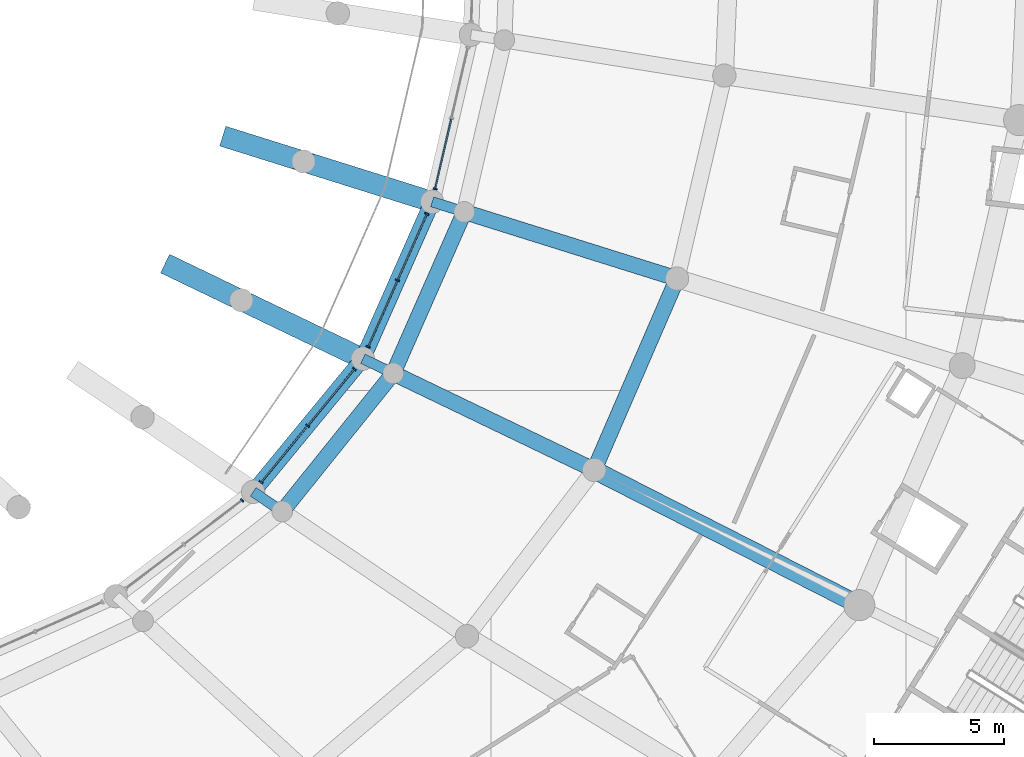
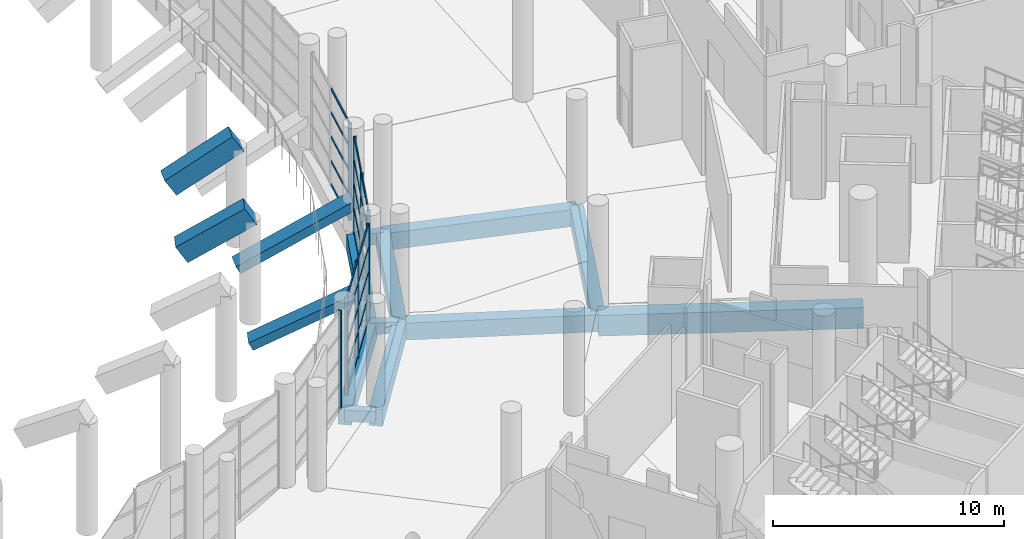
# One storey, part 48 of 271: 33 members, 15 beams, 4 elements without a shape of their own.
"""IFC4 building model written with IfcOpenShell, lengths in metres."""

from ifc_helpers import new_model, si_unit, direction, frame, origin, origin_2d, place, context, subcontext, project, spatial, rectangle, extrude, material, layer, layer_set, material_profile, profile_set, type_object, element, aggregate, save


model = new_model("IFC4")

# Units and contexts
model_context = context("Model", 3, precision=1e-05, world=origin(), true_north=direction((0.0, 1.0)))
body_context = subcontext(model_context, "Body", "Model", "MODEL_VIEW")
ifc_project = project(units=[si_unit("LENGTHUNIT", "METRE"), si_unit("AREAUNIT", "SQUARE_METRE"), si_unit("VOLUMEUNIT", "CUBIC_METRE"), si_unit("PLANEANGLEUNIT", "RADIAN"), si_unit("MASSUNIT", "GRAM", prefix="KILO")], contexts=[model_context])

# Site, building, storey
site_placement = place(None, origin())
site = spatial("IfcSite", under=ifc_project, at=site_placement, CompositionType="ELEMENT")
building_placement = place(site_placement, origin())
building = spatial("IfcBuilding", under=site, at=building_placement, Name="Meseta Stadium", CompositionType="ELEMENT")
storey_placement = place(building_placement, frame((0.0, 0.0, 6.5)))
storey = spatial("IfcBuildingStorey", under=building, at=storey_placement, Name="L01", CompositionType="ELEMENT", Elevation=6.5)

# Curtain wall, member
ifc_material_1 = material(Name="Aluminium", Category="aluminium")
ifc_layer = layer(ifc_material_1, 0.199951171875)
ifc_layer_set = layer_set([ifc_layer], Name="Club glazing curtain wall")
curtain_wall_type = type_object("IfcCurtainWallType", Name="Club glazing curtain wall", PredefinedType="NOTDEFINED", material=ifc_layer_set)
curtain_wall_1_placement = place(storey_placement, origin())
curtain_wall_1 = element("IfcCurtainWall", 1, at=curtain_wall_1_placement, inside=storey, type_object=curtain_wall_type, Name="Club glazing bay 52", PredefinedType="NOTDEFINED")
ifc_material_2 = material(Name="Aluminium", Category="aluminium")
ifc_material_profile_1 = material_profile(ifc_material_2, rectangle(XDim=0.159912109375, YDim=0.06005859375, at=origin_2d()), Name="CW 160x60")
ifc_profile_set_1 = profile_set([ifc_material_profile_1], Name="Aluminium")
member_type_1 = type_object("IfcMemberType", Name="CW mullion 60x160", PredefinedType="MULLION", material=ifc_profile_set_1)
member_1_placement = place(storey_placement, frame((54.392578125, -68.2255859375, 0.0), z_axis=(0.0, 0.0, 1.0), x_axis=(-0.604519923448, 0.796590021375, 0.0)))
member_1 = element("IfcMember", 2, at=member_1_placement, type_object=member_type_1, Name="CWC mullion 3", PredefinedType="MULLION", context=body_context, shape_type="SweptSolid", body=[
    extrude(rectangle(XDim=0.159912109375, YDim=0.06005859375, at=origin_2d()), origin(), (0.0, 0.0, 1.0), 5.14990234375),
])
aggregate(curtain_wall_1, [member_1])

# Curtain wall, members
curtain_wall_2_placement = place(storey_placement, origin())
curtain_wall_2 = element("IfcCurtainWall", 3, at=curtain_wall_2_placement, inside=storey, type_object=curtain_wall_type, Name="Club glazing bay 53", PredefinedType="NOTDEFINED")
member_2_placement = place(storey_placement, frame((55.124755859375, -67.531005859375, 0.0), z_axis=(0.0, 0.0, 1.0), x_axis=(-0.771902420685, 0.63574102663, 0.0)))
member_2 = element("IfcMember", 4, at=member_2_placement, type_object=member_type_1, Name="CWC mullion 1", PredefinedType="MULLION", context=body_context, shape_type="SweptSolid", body=[
    extrude(rectangle(XDim=0.159912109375, YDim=0.06005859375, at=origin_2d()), origin(), (0.0, 0.0, 1.0), 5.14990234375),
])
member_3_placement = place(storey_placement, frame((56.920654296875, -65.3505859375, 0.0), z_axis=(0.0, 0.0, 1.0), x_axis=(-0.771902420685, 0.63574102663, 0.0)))
member_3 = element("IfcMember", 5, at=member_3_placement, type_object=member_type_1, Name="CWC mullion 2", PredefinedType="MULLION", context=body_context, shape_type="SweptSolid", body=[
    extrude(rectangle(XDim=0.159912109375, YDim=0.06005859375, at=origin_2d()), origin(), (0.0, 0.0, 1.0), 5.14990234375),
])
member_4_placement = place(storey_placement, frame((58.71630859375, -63.170166015625, 0.0), z_axis=(0.0, 0.0, 1.0), x_axis=(-0.771902420685, 0.63574102663, 0.0)))
member_4 = element("IfcMember", 6, at=member_4_placement, type_object=member_type_1, Name="CWC mullion 3", PredefinedType="MULLION", context=body_context, shape_type="SweptSolid", body=[
    extrude(rectangle(XDim=0.159912109375, YDim=0.06005859375, at=origin_2d()), origin(), (0.0, 0.0, 1.0), 5.14990234375),
])

curtain_wall_3_placement = place(storey_placement, origin())
curtain_wall_3 = element("IfcCurtainWall", 7, at=curtain_wall_3_placement, inside=storey, type_object=curtain_wall_type, Name="Club glazing bay 54", PredefinedType="NOTDEFINED")
member_5_placement = place(storey_placement, frame((59.2548828125, -62.300537109375, 0.0), z_axis=(0.0, 0.0, 1.0), x_axis=(-0.914657215102, 0.404230353712, 0.0)))
member_5 = element("IfcMember", 8, at=member_5_placement, type_object=member_type_1, Name="CWC mullion 1", PredefinedType="MULLION", context=body_context, shape_type="SweptSolid", body=[
    extrude(rectangle(XDim=0.159912109375, YDim=0.06005859375, at=origin_2d()), origin(), (0.0, 0.0, 1.0), 5.14990234375),
])
member_6_placement = place(storey_placement, frame((60.385498046875, -59.7421875, 0.0), z_axis=(0.0, 0.0, 1.0), x_axis=(-0.914657215102, 0.404230353712, 0.0)))
member_6 = element("IfcMember", 9, at=member_6_placement, type_object=member_type_1, Name="CWC mullion 2", PredefinedType="MULLION", context=body_context, shape_type="SweptSolid", body=[
    extrude(rectangle(XDim=0.159912109375, YDim=0.06005859375, at=origin_2d()), origin(), (0.0, 0.0, 1.0), 5.14990234375),
])
member_7_placement = place(storey_placement, frame((61.51611328125, -57.183837890625, 0.0), z_axis=(0.0, 0.0, 1.0), x_axis=(-0.914657215102, 0.404230353712, 0.0)))
member_7 = element("IfcMember", 10, at=member_7_placement, type_object=member_type_1, Name="CWC mullion 3", PredefinedType="MULLION", context=body_context, shape_type="SweptSolid", body=[
    extrude(rectangle(XDim=0.159912109375, YDim=0.06005859375, at=origin_2d()), origin(), (0.0, 0.0, 1.0), 5.14990234375),
])

# Curtain wall, member
curtain_wall_4_placement = place(storey_placement, origin())
curtain_wall_4 = element("IfcCurtainWall", 11, at=curtain_wall_4_placement, inside=storey, type_object=curtain_wall_type, Name="Club glazing bay 55", PredefinedType="NOTDEFINED")
member_8_placement = place(storey_placement, frame((61.838623046875, -56.21826171875, 0.0), z_axis=(0.0, 0.0, 1.0), x_axis=(-0.974116107399, 0.226048245529, 0.0)))
member_8 = element("IfcMember", 12, at=member_8_placement, type_object=member_type_1, Name="CWC mullion 1", PredefinedType="MULLION", context=body_context, shape_type="SweptSolid", body=[
    extrude(rectangle(XDim=0.159912109375, YDim=0.06005859375, at=origin_2d()), origin(), (0.0, 0.0, 1.0), 5.14990234375),
])

# Member
ifc_material_3 = material(Name="Aluminium", Category="aluminium")
ifc_material_profile_2 = material_profile(ifc_material_3, rectangle(XDim=0.06005859375, YDim=0.1201171875, at=origin_2d()), Name="CW 60x120")
ifc_profile_set_2 = profile_set([ifc_material_profile_2], Name="Aluminium")
member_type_2 = type_object("IfcMemberType", Name="CW transom 60x120", PredefinedType="USERDEFINED", material=ifc_profile_set_2)
member_9_placement = place(storey_placement, frame((55.143798828125, -67.5078125, 0.06005859375), z_axis=(0.63573511069, 0.771907293032, 0.0), x_axis=(-0.771907293032, 0.63573511069, 0.0)))
member_9 = element("IfcMember", 13, at=member_9_placement, type_object=member_type_2, Name="CWC transom 1.1", ObjectType="TRANSOM", PredefinedType="USERDEFINED", context=body_context, shape_type="SweptSolid", body=[
    extrude(rectangle(XDim=0.06005859375, YDim=0.1201171875, at=origin_2d()), origin(), (0.0, 0.0, 1.0), 2.7646484375),
])

member_10_placement = place(storey_placement, frame((55.143798828125, -67.5078125, 1.28759765625), z_axis=(0.63573511069, 0.771907293032, 0.0), x_axis=(-0.771907293032, 0.63573511069, 0.0)))
member_10 = element("IfcMember", 14, at=member_10_placement, type_object=member_type_2, Name="CWC transom 1.2", ObjectType="TRANSOM", PredefinedType="USERDEFINED", context=body_context, shape_type="SweptSolid", body=[
    extrude(rectangle(XDim=0.06005859375, YDim=0.1201171875, at=origin_2d()), origin(), (0.0, 0.0, 1.0), 2.7646484375),
])

member_11_placement = place(storey_placement, frame((55.143798828125, -67.5078125, 2.574951171875), z_axis=(0.63573511069, 0.771907293032, 0.0), x_axis=(-0.771907293032, 0.63573511069, 0.0)))
member_11 = element("IfcMember", 15, at=member_11_placement, type_object=member_type_2, Name="CWC transom 1.3", ObjectType="TRANSOM", PredefinedType="USERDEFINED", context=body_context, shape_type="SweptSolid", body=[
    extrude(rectangle(XDim=0.06005859375, YDim=0.1201171875, at=origin_2d()), origin(), (0.0, 0.0, 1.0), 2.7646484375),
])

member_12_placement = place(storey_placement, frame((55.143798828125, -67.5078125, 3.862548828125), z_axis=(0.63573511069, 0.771907293032, 0.0), x_axis=(-0.771907293032, 0.63573511069, 0.0)))
member_12 = element("IfcMember", 16, at=member_12_placement, type_object=member_type_2, Name="CWC transom 1.4", ObjectType="TRANSOM", PredefinedType="USERDEFINED", context=body_context, shape_type="SweptSolid", body=[
    extrude(rectangle(XDim=0.06005859375, YDim=0.1201171875, at=origin_2d()), origin(), (0.0, 0.0, 1.0), 2.7646484375),
])

member_13_placement = place(storey_placement, frame((55.143798828125, -67.5078125, 5.090087890625), z_axis=(0.63573511069, 0.771907293032, 0.0), x_axis=(-0.771907293032, 0.63573511069, 0.0)))
member_13 = element("IfcMember", 17, at=member_13_placement, type_object=member_type_2, Name="CWC transom 1.5", ObjectType="TRANSOM", PredefinedType="USERDEFINED", context=body_context, shape_type="SweptSolid", body=[
    extrude(rectangle(XDim=0.06005859375, YDim=0.1201171875, at=origin_2d()), origin(), (0.0, 0.0, 1.0), 2.7646484375),
])

member_14_placement = place(storey_placement, frame((56.939697265625, -65.327392578125, 0.06005859375), z_axis=(0.63573511069, 0.771907293032, 0.0), x_axis=(-0.771907293032, 0.63573511069, 0.0)))
member_14 = element("IfcMember", 18, at=member_14_placement, type_object=member_type_2, Name="CWC transom 2.1", ObjectType="TRANSOM", PredefinedType="USERDEFINED", context=body_context, shape_type="SweptSolid", body=[
    extrude(rectangle(XDim=0.06005859375, YDim=0.1201171875, at=origin_2d()), origin(), (0.0, 0.0, 1.0), 2.7646484375),
])

member_15_placement = place(storey_placement, frame((56.939697265625, -65.327392578125, 1.28759765625), z_axis=(0.63573511069, 0.771907293032, 0.0), x_axis=(-0.771907293032, 0.63573511069, 0.0)))
member_15 = element("IfcMember", 19, at=member_15_placement, type_object=member_type_2, Name="CWC transom 2.2", ObjectType="TRANSOM", PredefinedType="USERDEFINED", context=body_context, shape_type="SweptSolid", body=[
    extrude(rectangle(XDim=0.06005859375, YDim=0.1201171875, at=origin_2d()), origin(), (0.0, 0.0, 1.0), 2.7646484375),
])

member_16_placement = place(storey_placement, frame((56.939697265625, -65.327392578125, 2.574951171875), z_axis=(0.63573511069, 0.771907293032, 0.0), x_axis=(-0.771907293032, 0.63573511069, 0.0)))
member_16 = element("IfcMember", 20, at=member_16_placement, type_object=member_type_2, Name="CWC transom 2.3", ObjectType="TRANSOM", PredefinedType="USERDEFINED", context=body_context, shape_type="SweptSolid", body=[
    extrude(rectangle(XDim=0.06005859375, YDim=0.1201171875, at=origin_2d()), origin(), (0.0, 0.0, 1.0), 2.7646484375),
])

member_17_placement = place(storey_placement, frame((56.939697265625, -65.327392578125, 3.862548828125), z_axis=(0.63573511069, 0.771907293032, 0.0), x_axis=(-0.771907293032, 0.63573511069, 0.0)))
member_17 = element("IfcMember", 21, at=member_17_placement, type_object=member_type_2, Name="CWC transom 2.4", ObjectType="TRANSOM", PredefinedType="USERDEFINED", context=body_context, shape_type="SweptSolid", body=[
    extrude(rectangle(XDim=0.06005859375, YDim=0.1201171875, at=origin_2d()), origin(), (0.0, 0.0, 1.0), 2.7646484375),
])

member_18_placement = place(storey_placement, frame((56.939697265625, -65.327392578125, 5.090087890625), z_axis=(0.63573511069, 0.771907293032, 0.0), x_axis=(-0.771907293032, 0.63573511069, 0.0)))
member_18 = element("IfcMember", 22, at=member_18_placement, type_object=member_type_2, Name="CWC transom 2.5", ObjectType="TRANSOM", PredefinedType="USERDEFINED", context=body_context, shape_type="SweptSolid", body=[
    extrude(rectangle(XDim=0.06005859375, YDim=0.1201171875, at=origin_2d()), origin(), (0.0, 0.0, 1.0), 2.7646484375),
])

aggregate(curtain_wall_2, [member_2, member_3, member_4, member_9, member_10, member_11, member_12, member_13, member_14, member_15, member_16, member_17, member_18])

member_19_placement = place(storey_placement, frame((59.266845703125, -62.273193359375, 0.06005859375), z_axis=(0.404217645264, 0.914662831461, 0.0), x_axis=(-0.914662831461, 0.404217645264, 0.0)))
member_19 = element("IfcMember", 23, at=member_19_placement, type_object=member_type_2, Name="CWC transom 1.1", ObjectType="TRANSOM", PredefinedType="USERDEFINED", context=body_context, shape_type="SweptSolid", body=[
    extrude(rectangle(XDim=0.06005859375, YDim=0.1201171875, at=origin_2d()), origin(), (0.0, 0.0, 1.0), 2.7373046875),
])

member_20_placement = place(storey_placement, frame((59.266845703125, -62.273193359375, 1.28759765625), z_axis=(0.404217645264, 0.914662831461, 0.0), x_axis=(-0.914662831461, 0.404217645264, 0.0)))
member_20 = element("IfcMember", 24, at=member_20_placement, type_object=member_type_2, Name="CWC transom 1.2", ObjectType="TRANSOM", PredefinedType="USERDEFINED", context=body_context, shape_type="SweptSolid", body=[
    extrude(rectangle(XDim=0.06005859375, YDim=0.1201171875, at=origin_2d()), origin(), (0.0, 0.0, 1.0), 2.7373046875),
])

member_21_placement = place(storey_placement, frame((59.266845703125, -62.273193359375, 2.574951171875), z_axis=(0.404217645264, 0.914662831461, 0.0), x_axis=(-0.914662831461, 0.404217645264, 0.0)))
member_21 = element("IfcMember", 25, at=member_21_placement, type_object=member_type_2, Name="CWC transom 1.3", ObjectType="TRANSOM", PredefinedType="USERDEFINED", context=body_context, shape_type="SweptSolid", body=[
    extrude(rectangle(XDim=0.06005859375, YDim=0.1201171875, at=origin_2d()), origin(), (0.0, 0.0, 1.0), 2.7373046875),
])

member_22_placement = place(storey_placement, frame((59.266845703125, -62.273193359375, 3.862548828125), z_axis=(0.404217645264, 0.914662831461, 0.0), x_axis=(-0.914662831461, 0.404217645264, 0.0)))
member_22 = element("IfcMember", 26, at=member_22_placement, type_object=member_type_2, Name="CWC transom 1.4", ObjectType="TRANSOM", PredefinedType="USERDEFINED", context=body_context, shape_type="SweptSolid", body=[
    extrude(rectangle(XDim=0.06005859375, YDim=0.1201171875, at=origin_2d()), origin(), (0.0, 0.0, 1.0), 2.7373046875),
])

member_23_placement = place(storey_placement, frame((59.266845703125, -62.273193359375, 5.090087890625), z_axis=(0.404217645264, 0.914662831461, 0.0), x_axis=(-0.914662831461, 0.404217645264, 0.0)))
member_23 = element("IfcMember", 27, at=member_23_placement, type_object=member_type_2, Name="CWC transom 1.5", ObjectType="TRANSOM", PredefinedType="USERDEFINED", context=body_context, shape_type="SweptSolid", body=[
    extrude(rectangle(XDim=0.06005859375, YDim=0.1201171875, at=origin_2d()), origin(), (0.0, 0.0, 1.0), 2.7373046875),
])

member_24_placement = place(storey_placement, frame((60.397705078125, -59.71484375, 0.06005859375), z_axis=(0.404217645264, 0.914662831461, 0.0), x_axis=(-0.914662831461, 0.404217645264, 0.0)))
member_24 = element("IfcMember", 28, at=member_24_placement, type_object=member_type_2, Name="CWC transom 2.1", ObjectType="TRANSOM", PredefinedType="USERDEFINED", context=body_context, shape_type="SweptSolid", body=[
    extrude(rectangle(XDim=0.06005859375, YDim=0.1201171875, at=origin_2d()), origin(), (0.0, 0.0, 1.0), 2.7373046875),
])

member_25_placement = place(storey_placement, frame((60.397705078125, -59.71484375, 1.28759765625), z_axis=(0.404217645264, 0.914662831461, 0.0), x_axis=(-0.914662831461, 0.404217645264, 0.0)))
member_25 = element("IfcMember", 29, at=member_25_placement, type_object=member_type_2, Name="CWC transom 2.2", ObjectType="TRANSOM", PredefinedType="USERDEFINED", context=body_context, shape_type="SweptSolid", body=[
    extrude(rectangle(XDim=0.06005859375, YDim=0.1201171875, at=origin_2d()), origin(), (0.0, 0.0, 1.0), 2.7373046875),
])

member_26_placement = place(storey_placement, frame((60.397705078125, -59.71484375, 2.574951171875), z_axis=(0.404217645264, 0.914662831461, 0.0), x_axis=(-0.914662831461, 0.404217645264, 0.0)))
member_26 = element("IfcMember", 30, at=member_26_placement, type_object=member_type_2, Name="CWC transom 2.3", ObjectType="TRANSOM", PredefinedType="USERDEFINED", context=body_context, shape_type="SweptSolid", body=[
    extrude(rectangle(XDim=0.06005859375, YDim=0.1201171875, at=origin_2d()), origin(), (0.0, 0.0, 1.0), 2.7373046875),
])

member_27_placement = place(storey_placement, frame((60.397705078125, -59.71484375, 3.862548828125), z_axis=(0.404217645264, 0.914662831461, 0.0), x_axis=(-0.914662831461, 0.404217645264, 0.0)))
member_27 = element("IfcMember", 31, at=member_27_placement, type_object=member_type_2, Name="CWC transom 2.4", ObjectType="TRANSOM", PredefinedType="USERDEFINED", context=body_context, shape_type="SweptSolid", body=[
    extrude(rectangle(XDim=0.06005859375, YDim=0.1201171875, at=origin_2d()), origin(), (0.0, 0.0, 1.0), 2.7373046875),
])

member_28_placement = place(storey_placement, frame((60.397705078125, -59.71484375, 5.090087890625), z_axis=(0.404217645264, 0.914662831461, 0.0), x_axis=(-0.914662831461, 0.404217645264, 0.0)))
member_28 = element("IfcMember", 32, at=member_28_placement, type_object=member_type_2, Name="CWC transom 2.5", ObjectType="TRANSOM", PredefinedType="USERDEFINED", context=body_context, shape_type="SweptSolid", body=[
    extrude(rectangle(XDim=0.06005859375, YDim=0.1201171875, at=origin_2d()), origin(), (0.0, 0.0, 1.0), 2.7373046875),
])

aggregate(curtain_wall_3, [member_5, member_6, member_7, member_19, member_20, member_21, member_22, member_23, member_24, member_25, member_26, member_27, member_28])

member_29_placement = place(storey_placement, frame((61.84521484375, -56.189208984375, 0.06005859375), z_axis=(0.226064707023, 0.974112287285, 0.0), x_axis=(-0.974112287285, 0.226064707023, 0.0)))
member_29 = element("IfcMember", 33, at=member_29_placement, type_object=member_type_2, Name="CWC transom 1.1", ObjectType="TRANSOM", PredefinedType="USERDEFINED", context=body_context, shape_type="SweptSolid", body=[
    extrude(rectangle(XDim=0.06005859375, YDim=0.1201171875, at=origin_2d()), origin(), (0.0, 0.0, 1.0), 2.736572265625),
])

member_30_placement = place(storey_placement, frame((61.84521484375, -56.189208984375, 1.28759765625), z_axis=(0.226064707023, 0.974112287285, 0.0), x_axis=(-0.974112287285, 0.226064707023, 0.0)))
member_30 = element("IfcMember", 34, at=member_30_placement, type_object=member_type_2, Name="CWC transom 1.2", ObjectType="TRANSOM", PredefinedType="USERDEFINED", context=body_context, shape_type="SweptSolid", body=[
    extrude(rectangle(XDim=0.06005859375, YDim=0.1201171875, at=origin_2d()), origin(), (0.0, 0.0, 1.0), 2.736572265625),
])

member_31_placement = place(storey_placement, frame((61.84521484375, -56.189208984375, 2.574951171875), z_axis=(0.226064707023, 0.974112287285, 0.0), x_axis=(-0.974112287285, 0.226064707023, 0.0)))
member_31 = element("IfcMember", 35, at=member_31_placement, type_object=member_type_2, Name="CWC transom 1.3", ObjectType="TRANSOM", PredefinedType="USERDEFINED", context=body_context, shape_type="SweptSolid", body=[
    extrude(rectangle(XDim=0.06005859375, YDim=0.1201171875, at=origin_2d()), origin(), (0.0, 0.0, 1.0), 2.736572265625),
])

member_32_placement = place(storey_placement, frame((61.84521484375, -56.189208984375, 3.862548828125), z_axis=(0.226064707023, 0.974112287285, 0.0), x_axis=(-0.974112287285, 0.226064707023, 0.0)))
member_32 = element("IfcMember", 36, at=member_32_placement, type_object=member_type_2, Name="CWC transom 1.4", ObjectType="TRANSOM", PredefinedType="USERDEFINED", context=body_context, shape_type="SweptSolid", body=[
    extrude(rectangle(XDim=0.06005859375, YDim=0.1201171875, at=origin_2d()), origin(), (0.0, 0.0, 1.0), 2.736572265625),
])

member_33_placement = place(storey_placement, frame((61.84521484375, -56.189208984375, 5.090087890625), z_axis=(0.226064707023, 0.974112287285, 0.0), x_axis=(-0.974112287285, 0.226064707023, 0.0)))
member_33 = element("IfcMember", 37, at=member_33_placement, type_object=member_type_2, Name="CWC transom 1.5", ObjectType="TRANSOM", PredefinedType="USERDEFINED", context=body_context, shape_type="SweptSolid", body=[
    extrude(rectangle(XDim=0.06005859375, YDim=0.1201171875, at=origin_2d()), origin(), (0.0, 0.0, 1.0), 2.736572265625),
])

aggregate(curtain_wall_4, [member_8, member_29, member_30, member_31, member_32, member_33])

# Beams
ifc_material_4 = material(Name="Concrete C40/50", Category="concrete")
ifc_material_profile_3 = material_profile(ifc_material_4, rectangle(XDim=0.39990234375, YDim=0.60009765625, at=origin_2d()), Name="RC 400x600")
ifc_profile_set_3 = profile_set([ifc_material_profile_3], Name="Concrete C40/50")
beam_type_1 = type_object("IfcBeamType", Name="RC beam 400x600", PredefinedType="BEAM", material=ifc_profile_set_3)
beam_1_placement = place(storey_placement, frame((54.819580078125, -67.901611328125, -0.64990234375), z_axis=(0.828785870945, -0.559565885416, 0.0), x_axis=(0.559565885416, 0.828785870945, 0.0)))
element("IfcBeam", 38, at=beam_1_placement, inside=storey, type_object=beam_type_1, Name="L01 radial beam frame 53 line C to D", PredefinedType="BEAM", context=body_context, shape_type="SweptSolid", body=[
    extrude(rectangle(XDim=0.39990234375, YDim=0.60009765625, at=origin_2d()), origin(), (0.0, 0.0, 1.0), 1.35205078125),
])
beam_2_placement = place(storey_placement, frame((59.049072265625, -62.766357421875, -0.64990234375), z_axis=(0.901186215953, -0.433432121762, 0.0), x_axis=(0.433432121762, 0.901186215953, 0.0)))
element("IfcBeam", 39, at=beam_2_placement, inside=storey, type_object=beam_type_1, Name="L01 radial beam frame 54 line C to D", PredefinedType="BEAM", context=body_context, shape_type="SweptSolid", body=[
    extrude(rectangle(XDim=0.39990234375, YDim=0.60009765625, at=origin_2d()), origin(), (0.0, 0.0, 1.0), 1.3017578125),
])
beam_3_placement = place(storey_placement, frame((61.72314453125, -56.715576171875, -0.64990234375), z_axis=(0.954202212312, -0.299162394059, 0.0), x_axis=(0.299162394059, 0.954202212312, 0.0)))
element("IfcBeam", 40, at=beam_3_placement, inside=storey, type_object=beam_type_1, Name="L01 radial beam frame 55 line C to D", PredefinedType="BEAM", context=body_context, shape_type="SweptSolid", body=[
    extrude(rectangle(XDim=0.39990234375, YDim=0.60009765625, at=origin_2d()), origin(), (0.0, 0.0, 1.0), 1.300048828125),
])
ifc_material_5 = material(Name="Concrete C40/50", Category="concrete")
ifc_material_profile_4 = material_profile(ifc_material_5, rectangle(XDim=0.60009765625, YDim=0.89990234375, at=origin_2d()), Name="RC 600x900")
ifc_profile_set_4 = profile_set([ifc_material_profile_4], Name="Concrete C40/50")
beam_type_2 = type_object("IfcBeamType", Name="RC beam 600x900", PredefinedType="BEAM", material=ifc_profile_set_4)
beam_4_placement = place(storey_placement, frame((54.819580078125, -67.901611328125, -0.800048828125), z_axis=(0.635748413749, 0.771896336573, 0.0), x_axis=(-0.771896336573, 0.635748413749, 0.0)))
element("IfcBeam", 41, at=beam_4_placement, inside=storey, type_object=beam_type_2, Name="L01 ring beam frame 53 line C", PredefinedType="BEAM", context=body_context, shape_type="SweptSolid", body=[
    extrude(rectangle(XDim=0.60009765625, YDim=0.89990234375, at=origin_2d()), origin(), (0.0, 0.0, 1.0), 6.65283203125),
])
beam_5_placement = place(storey_placement, frame((55.940185546875, -68.658203125, -0.800048828125), z_axis=(0.626466293445, 0.779448512204, 0.0), x_axis=(-0.779448512204, 0.626466293445, 0.0)))
element("IfcBeam", 42, at=beam_5_placement, inside=storey, type_object=beam_type_2, Name="L01 ring beam frame 53 line D", PredefinedType="BEAM", context=body_context, shape_type="SweptSolid", body=[
    extrude(rectangle(XDim=0.60009765625, YDim=0.89990234375, at=origin_2d()), origin(), (0.0, 0.0, 1.0), 6.835205078125),
])
beam_6_placement = place(storey_placement, frame((59.049072265625, -62.766357421875, -0.800048828125), z_axis=(0.404223446973, 0.914660267486, 0.0), x_axis=(-0.914660267486, 0.404223446973, 0.0)))
element("IfcBeam", 43, at=beam_6_placement, inside=storey, type_object=beam_type_2, Name="L01 ring beam frame 54 line C", PredefinedType="BEAM", context=body_context, shape_type="SweptSolid", body=[
    extrude(rectangle(XDim=0.60009765625, YDim=0.89990234375, at=origin_2d()), origin(), (0.0, 0.0, 1.0), 6.615234375),
])
beam_7_placement = place(storey_placement, frame((60.22216796875, -63.33056640625, -0.800048828125), z_axis=(0.402982741988, 0.915207577361, 0.0), x_axis=(-0.915207577361, 0.402982741988, 0.0)))
element("IfcBeam", 44, at=beam_7_placement, inside=storey, type_object=beam_type_2, Name="L01 ring beam frame 54 line D", PredefinedType="BEAM", context=body_context, shape_type="SweptSolid", body=[
    extrude(rectangle(XDim=0.60009765625, YDim=0.89990234375, at=origin_2d()), origin(), (0.0, 0.0, 1.0), 6.802978515625),
])
beam_8_placement = place(storey_placement, frame((67.972412109375, -67.057861328125, -0.800048828125), z_axis=(0.397502661884, 0.91760102103, 0.0), x_axis=(-0.91760102103, 0.397502661884, 0.0)))
element("IfcBeam", 45, at=beam_8_placement, inside=storey, type_object=beam_type_2, Name="L01 ring beam frame 54 line E", PredefinedType="BEAM", context=body_context, shape_type="SweptSolid", body=[
    extrude(rectangle(XDim=0.60009765625, YDim=0.89990234375, at=origin_2d()), origin(), (0.0, 0.0, 1.0), 8.04345703125),
])
for number, where, z_axis, x_axis, name in (
    (46, (60.22216796875, -63.33056640625, -0.800048828125), (0.901197200503, -0.433409282094, 0.0), (0.433409282094, 0.901197200503, 0.0), "L01 radial beam frame 54 line D to E"),
    (47, (62.963623046875, -57.1044921875, -0.800048828125), (0.9542027514, -0.299160674588, 0.0), (0.299160674588, 0.9542027514, 0.0), "L01 radial beam frame 55 line D to E"),
):
    element("IfcBeam", number, at=place(storey_placement, frame(where, z_axis=z_axis, x_axis=x_axis)), inside=storey, type_object=beam_type_2, Name=name, PredefinedType="BEAM", context=body_context, shape_type="SweptSolid", body=[
        extrude(rectangle(XDim=0.60009765625, YDim=0.89990234375, at=origin_2d()), origin(), (0.0, 0.0, 1.0), 8.599853515625),
    ])
ifc_material_6 = material(Name="Concrete C40/50", Category="concrete")
ifc_material_profile_5 = material_profile(ifc_material_6, rectangle(XDim=0.699951171875, YDim=1.10009765625, at=origin_2d()), Name="RC 700x1100")
ifc_profile_set_5 = profile_set([ifc_material_profile_5], Name="Concrete C40/50")
beam_type_3 = type_object("IfcBeamType", Name="RC beam 700x1100", PredefinedType="BEAM", material=ifc_profile_set_5)
beam_9_placement = place(storey_placement, frame((67.972412109375, -67.057861328125, -0.89990234375), z_axis=(0.890868510984, -0.454261264184, 0.0), x_axis=(0.454261264184, 0.890868510984, 0.0)))
element("IfcBeam", 48, at=beam_9_placement, inside=storey, type_object=beam_type_3, Name="L01 radial beam frame 54 line E to P", PredefinedType="BEAM", context=body_context, shape_type="SweptSolid", body=[
    extrude(rectangle(XDim=0.699951171875, YDim=1.10009765625, at=origin_2d()), origin(), (0.0, 0.0, 1.0), 11.478271484375),
])
ifc_material_7 = material(Name="Concrete C40/50", Category="concrete")
ifc_material_profile_6 = material_profile(ifc_material_7, rectangle(XDim=0.800048828125, YDim=0.449951171875, at=origin_2d()), Name="RC 800x450")
ifc_profile_set_6 = profile_set([ifc_material_profile_6], Name="Concrete C40/50")
beam_type_4 = type_object("IfcBeamType", Name="RC raker lower 800x450", PredefinedType="USERDEFINED", material=ifc_profile_set_6)
beam_10_placement = place(storey_placement, frame((54.3642578125, -60.513427734375, -1.173583984375), z_axis=(0.803272012463, -0.386293925218, 0.453355354368), x_axis=(0.433390534461, 0.90120621649, 0.0)))
element("IfcBeam", 49, at=beam_10_placement, inside=storey, type_object=beam_type_4, Name="Raker lower frame 54 lower tier", ObjectType="RAKER", PredefinedType="USERDEFINED", context=body_context, shape_type="SweptSolid", body=[
    extrude(rectangle(XDim=0.800048828125, YDim=0.449951171875, at=origin_2d()), origin(), (0.0, 0.0, 1.0), 5.832275390625),
])
beam_11_placement = place(storey_placement, frame((56.76123046875, -55.159912109375, -1.231689453125), z_axis=(0.85050096768, -0.266649880243, 0.453371751813), x_axis=(0.299162394059, 0.954202212312, 0.0)))
element("IfcBeam", 50, at=beam_11_placement, inside=storey, type_object=beam_type_4, Name="Raker lower frame 55 lower tier", ObjectType="RAKER", PredefinedType="USERDEFINED", context=body_context, shape_type="SweptSolid", body=[
    extrude(rectangle(XDim=0.800048828125, YDim=0.449951171875, at=origin_2d()), origin(), (0.0, 0.0, 1.0), 5.834228515625),
])
ifc_material_8 = material(Name="Concrete C40/50", Category="concrete")
ifc_material_profile_7 = material_profile(ifc_material_8, rectangle(XDim=0.800048828125, YDim=1.0, at=origin_2d()), Name="RC 800x1000")
ifc_profile_set_7 = profile_set([ifc_material_profile_7], Name="Concrete C40/50")
beam_type_5 = type_object("IfcBeamType", Name="RC raker upper front 800x1000", PredefinedType="USERDEFINED", material=ifc_profile_set_7)
for number, where, z_axis, x_axis, name in (
    (51, (51.66064453125, -59.213134765625, 3.830810546875), (0.764769974401, -0.367813336072, 0.528999277941), (0.433424089066, 0.901190079294, 0.0), "Raker upper front frame 54 upper tier"),
    (52, (53.898681640625, -54.26220703125, 3.57470703125), (0.80976492274, -0.253945042296, 0.528954332048), (0.29923402526, 0.954179751476, 0.0), "Raker upper front frame 55 upper tier"),
):
    element("IfcBeam", number, at=place(storey_placement, frame(where, z_axis=z_axis, x_axis=x_axis)), inside=storey, type_object=beam_type_5, Name=name, ObjectType="RAKER", PredefinedType="USERDEFINED", context=body_context, shape_type="SweptSolid", body=[
        extrude(rectangle(XDim=0.800048828125, YDim=1.0, at=origin_2d()), origin(), (0.0, 0.0, 1.0), 3.53515625),
    ])

save(model, "model.ifc")
